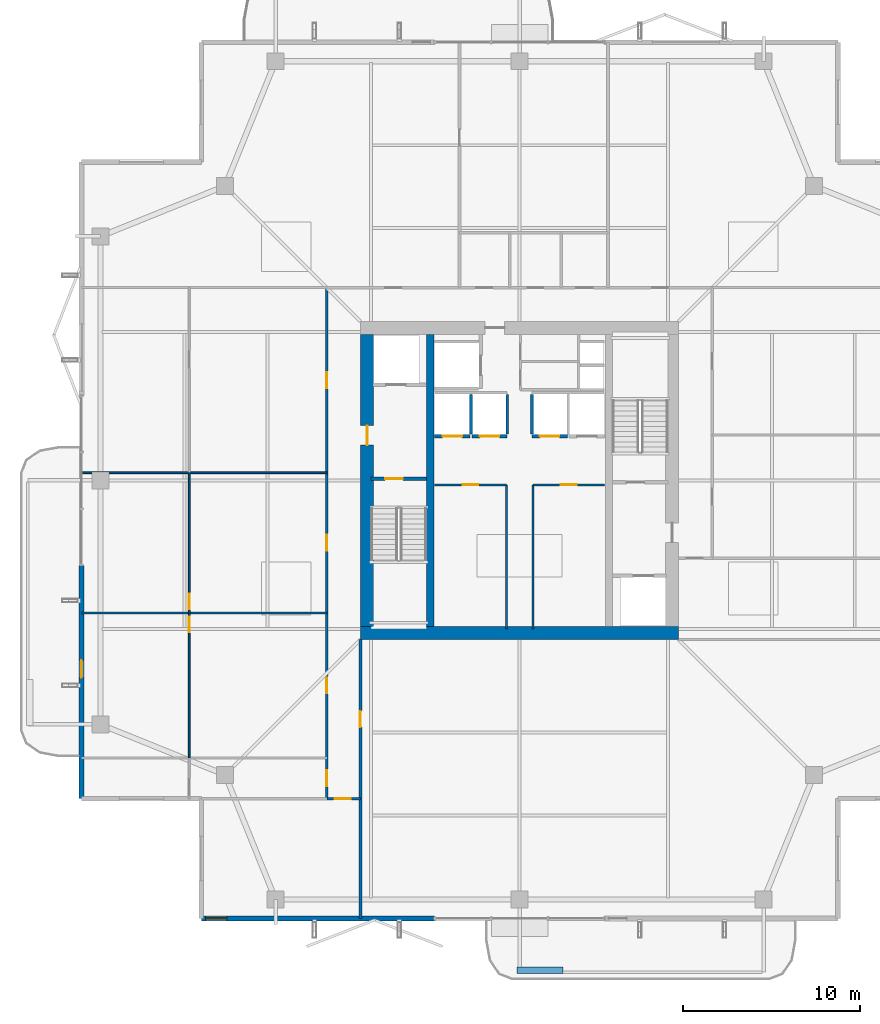
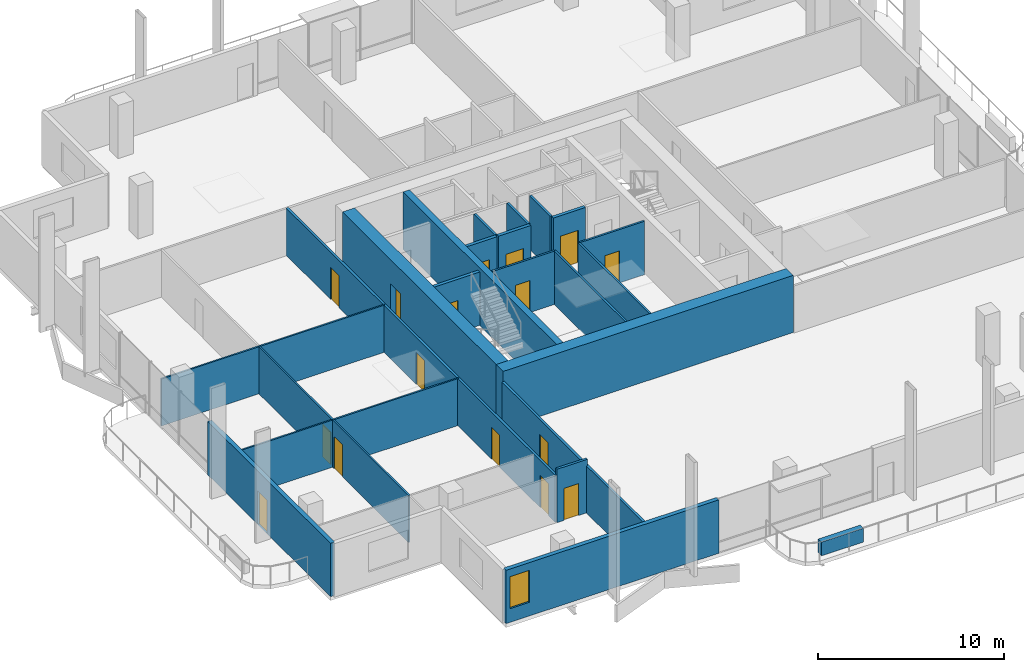
# One storey, part 18 of 25: 24 walls, 16 doors, 1 window, 17 openings.
"""IFC4 building model written with IfcOpenShell, lengths in metres."""

from ifc_helpers import new_model, si_unit, direction, frame, frame_2d, origin, place, context, subcontext, project, spatial, rectangle, extrude, material, layer, layer_set, type_object, element, fill, save


model = new_model("IFC4")

# Units and contexts
model_context = context("Model", 3, precision=1e-05, world=origin(), true_north=direction((0.0, 1.0)))
body_context = subcontext(model_context, "Body", "Model", "MODEL_VIEW")
ifc_project = project(units=[si_unit("LENGTHUNIT", "METRE"), si_unit("AREAUNIT", "SQUARE_METRE"), si_unit("VOLUMEUNIT", "CUBIC_METRE"), si_unit("PLANEANGLEUNIT", "RADIAN"), si_unit("MASSUNIT", "GRAM", prefix="KILO")], contexts=[model_context])

# Site, building, storey
site_placement = place(None, origin())
site = spatial("IfcSite", under=ifc_project, at=site_placement, CompositionType="ELEMENT")
building_placement = place(site_placement, origin())
building = spatial("IfcBuilding", under=site, at=building_placement, Name="Belovzor Exchange Tower", CompositionType="ELEMENT")
storey_placement = place(building_placement, frame((0.0, 0.0, 257.85009765625)))
storey = spatial("IfcBuildingStorey", under=building, at=storey_placement, Name="L64", CompositionType="ELEMENT", Elevation=257.85009765625)

# Wall, opening, door
ifc_material_1 = material(Name="Acoustic Laminated Glass and Aluminium", Category="aluminium")
ifc_layer_1 = layer(ifc_material_1, 0.10009765625)
ifc_layer_set_1 = layer_set([ifc_layer_1], Name="Acoustic Laminated Glass and Aluminium")
wall_type_1 = type_object("IfcWallType", Name="Demountable Executive Glass Partition 100", PredefinedType="MOVABLE", material=ifc_layer_set_1)
wall_1_placement = place(storey_placement, frame((10.114990234375, 13.10009765625, 0.0), z_axis=(0.0, 0.0, 1.0), x_axis=(0.0, 1.0, 0.0)))
wall_1 = element("IfcWall", 1, at=wall_1_placement, inside=storey, type_object=wall_type_1, Name="W-M100 Partition Wall W-L64-WHDIV-1", PredefinedType="MOVABLE", context=body_context, shape_type="SweptSolid", body=[
    extrude(rectangle(XDim=8.203857421875, YDim=0.10009765625, at=frame_2d((4.10205078125, 0.0))), origin(), (0.0, 0.0, 1.0), 3.0849609375),
])
opening_1_placement = place(wall_1_placement, frame((7.10400390625, 0.0, 0.0)))
opening_1 = element("IfcOpeningElement", 2, at=opening_1_placement, cuts=wall_1, Name="Opening D-INT-090", PredefinedType="OPENING", context=body_context, shape_type="SweptSolid", body=[
    extrude(rectangle(XDim=0.89990234375, YDim=2.10009765625, at=frame_2d((0.449951171875, 1.050048828125))), frame((0.0, 0.06005859375, 0.0), z_axis=(0.0, -1.0, 0.0), x_axis=(1.0, 0.0, 0.0)), (0.0, 0.0, 1.0), 0.1201171875),
])
ifc_material_2 = material(Name="Veneered Hardwood Acoustic Leaf", Category="wood")
door_type_1 = type_object("IfcDoorType", Name="Trading Suite Acoustic Single Door 900x2100", OperationType="NOTDEFINED", PredefinedType="DOOR", material=ifc_material_2)
door_1_placement = place(opening_1_placement, origin())
door_1 = element("IfcDoor", 3, at=door_1_placement, inside=storey, type_object=door_type_1, Name="D-INT-090 Trading Suite Acoustic Single Door 900x2100", OperationType="SINGLE_SWING_LEFT", OverallHeight=2.10009765625, OverallWidth=0.89990234375, PredefinedType="DOOR", context=body_context, shape_type="SweptSolid", body=[
    extrude(rectangle(XDim=0.89990234375, YDim=2.10009765625, at=frame_2d((0.449951171875, 1.050048828125))), frame((0.0, 0.02490234375, 0.0), z_axis=(0.0, -1.0, 0.0), x_axis=(1.0, 0.0, 0.0)), (0.0, 0.0, 1.0), 0.050048828125),
])
fill(opening_1, door_1)

# Wall
wall_2_placement = place(storey_placement, frame((4.030029296875, 21.303955078125, 0.0), z_axis=(0.0, 0.0, 1.0), x_axis=(1.0, 0.0, 0.0)))
element("IfcWall", 4, at=wall_2_placement, inside=storey, type_object=wall_type_1, Name="W-M100 Partition Wall W-L64-WDIV-2", PredefinedType="MOVABLE", context=body_context, shape_type="SweptSolid", body=[
    extrude(rectangle(XDim=13.869873046875, YDim=0.10009765625, at=frame_2d((6.93505859375, 0.0))), origin(), (0.0, 0.0, 1.0), 3.0849609375),
])

# Wall, opening, door
wall_3_placement = place(storey_placement, frame((10.114990234375, 21.303955078125, 0.0), z_axis=(0.0, 0.0, 1.0), x_axis=(0.0, 1.0, 0.0)))
wall_3 = element("IfcWall", 5, at=wall_3_placement, inside=storey, type_object=wall_type_1, Name="W-M100 Partition Wall W-L64-WHDIV-2", PredefinedType="MOVABLE", context=body_context, shape_type="SweptSolid", body=[
    extrude(rectangle(XDim=7.93115234375, YDim=0.10009765625, at=frame_2d((3.965576171875, 0.0))), origin(), (0.0, 0.0, 1.0), 3.0849609375),
])
opening_2_placement = place(wall_3_placement, frame((0.199951171875, 0.0, 0.0)))
opening_2 = element("IfcOpeningElement", 6, at=opening_2_placement, cuts=wall_3, Name="Opening D-INT-090", PredefinedType="OPENING", context=body_context, shape_type="SweptSolid", body=[
    extrude(rectangle(XDim=0.89990234375, YDim=2.10009765625, at=frame_2d((0.449951171875, 1.050048828125))), frame((0.0, 0.06005859375, 0.0), z_axis=(0.0, -1.0, 0.0), x_axis=(1.0, 0.0, 0.0)), (0.0, 0.0, 1.0), 0.1201171875),
])
door_2_placement = place(opening_2_placement, origin())
door_2 = element("IfcDoor", 7, at=door_2_placement, inside=storey, type_object=door_type_1, Name="D-INT-090 Trading Suite Acoustic Single Door 900x2100", OperationType="SINGLE_SWING_LEFT", OverallHeight=2.10009765625, OverallWidth=0.89990234375, PredefinedType="DOOR", context=body_context, shape_type="SweptSolid", body=[
    extrude(rectangle(XDim=0.89990234375, YDim=2.10009765625, at=frame_2d((0.449951171875, 1.050048828125))), frame((0.0, 0.02490234375, 0.0), z_axis=(0.0, -1.0, 0.0), x_axis=(1.0, 0.0, 0.0)), (0.0, 0.0, 1.0), 0.050048828125),
])
fill(opening_2, door_2)

# Wall
wall_4_placement = place(storey_placement, frame((4.030029296875, 29.235107421875, 0.0), z_axis=(0.0, 0.0, 1.0), x_axis=(1.0, 0.0, 0.0)))
element("IfcWall", 8, at=wall_4_placement, inside=storey, type_object=wall_type_1, Name="W-M100 Partition Wall W-L64-WDIV-3", PredefinedType="MOVABLE", context=body_context, shape_type="SweptSolid", body=[
    extrude(rectangle(XDim=13.869873046875, YDim=0.10009765625, at=frame_2d((6.93505859375, 0.0))), origin(), (0.0, 0.0, 1.0), 3.0849609375),
])

# Wall, opening, door
ifc_material_3 = material(Name="Fire-Rated Plasterboard on Galvanised Studs", Category="gypsum")
ifc_layer_2 = layer(ifc_material_3, 0.1201171875)
ifc_layer_set_2 = layer_set([ifc_layer_2], Name="Fire-Rated Plasterboard on Galvanised Studs")
wall_type_2 = type_object("IfcWallType", Name="Fire-Rated Double-Stud Partition Wall 120", PredefinedType="PARTITIONING", material=ifc_layer_set_2)
wall_5_placement = place(storey_placement, frame((24.0, 28.550048828125, 0.0), z_axis=(0.0, 0.0, 1.0), x_axis=(1.0, 0.0, 0.0)))
wall_5 = element("IfcWall", 9, at=wall_5_placement, inside=storey, type_object=wall_type_2, Name="W-P120F Partition Wall W-CRWB-L64-N", PredefinedType="PARTITIONING", context=body_context, shape_type="SweptSolid", body=[
    extrude(rectangle(XDim=4.050048828125, YDim=0.1201171875, at=frame_2d((2.02490234375, 0.0))), origin(), (0.0, 0.0, 1.0), 3.5),
])
opening_3_placement = place(wall_5_placement, frame((1.574951171875, 0.0, 0.0)))
opening_3 = element("IfcOpeningElement", 10, at=opening_3_placement, cuts=wall_5, Name="Opening D-FD60-090", PredefinedType="OPENING", context=body_context, shape_type="SweptSolid", body=[
    extrude(rectangle(XDim=0.89990234375, YDim=2.10009765625, at=frame_2d((0.449951171875, 1.050048828125))), frame((0.0, 0.070068359375, 0.0), z_axis=(0.0, -1.0, 0.0), x_axis=(1.0, 0.0, 0.0)), (0.0, 0.0, 1.0), 0.14013671875),
])
ifc_material_4 = material(Name="Acoustic Timber Fire Leaf", Category="wood")
door_type_2 = type_object("IfcDoorType", Name="Core Service & Restroom Fire Door 900x2100", OperationType="NOTDEFINED", PredefinedType="DOOR", material=ifc_material_4)
door_3_placement = place(opening_3_placement, origin())
door_3 = element("IfcDoor", 11, at=door_3_placement, inside=storey, type_object=door_type_2, Name="D-FD60-090 Core Service & Restroom Fire Door 900x2100", OperationType="SINGLE_SWING_LEFT", OverallHeight=2.10009765625, OverallWidth=0.89990234375, PredefinedType="DOOR", context=body_context, shape_type="SweptSolid", body=[
    extrude(rectangle(XDim=0.89990234375, YDim=2.10009765625, at=frame_2d((0.449951171875, 1.050048828125))), frame((0.0, 0.02490234375, 0.0), z_axis=(0.0, -1.0, 0.0), x_axis=(1.0, 0.0, 0.0)), (0.0, 0.0, 1.0), 0.050048828125),
])
fill(opening_3, door_3)

# Wall
wall_6_placement = place(storey_placement, frame((28.050048828125, 20.39990234375, 0.0), z_axis=(0.0, 0.0, 1.0), x_axis=(0.0, 1.0, 0.0)))
element("IfcWall", 12, at=wall_6_placement, inside=storey, type_object=wall_type_2, Name="W-P120F Partition Wall W-CRWB-L64-E", PredefinedType="PARTITIONING", context=body_context, shape_type="SweptSolid", body=[
    extrude(rectangle(XDim=8.150146484375, YDim=0.1201171875, at=frame_2d((4.0751953125, 0.0))), origin(), (0.0, 0.0, 1.0), 3.5),
])

# Wall, opening, door
wall_7_placement = place(storey_placement, frame((29.550048828125, 28.550048828125, 0.0), z_axis=(0.0, 0.0, 1.0), x_axis=(1.0, 0.0, 0.0)))
wall_7 = element("IfcWall", 13, at=wall_7_placement, inside=storey, type_object=wall_type_2, Name="W-P120F Partition Wall W-CREB-L64-N", PredefinedType="PARTITIONING", context=body_context, shape_type="SweptSolid", body=[
    extrude(rectangle(XDim=4.050048828125, YDim=0.1201171875, at=frame_2d((2.02490234375, 0.0))), origin(), (0.0, 0.0, 1.0), 3.5),
])
opening_4_placement = place(wall_7_placement, frame((1.574951171875, 0.0, 0.0)))
opening_4 = element("IfcOpeningElement", 14, at=opening_4_placement, cuts=wall_7, Name="Opening D-FD60-090", PredefinedType="OPENING", context=body_context, shape_type="SweptSolid", body=[
    extrude(rectangle(XDim=0.89990234375, YDim=2.10009765625, at=frame_2d((0.449951171875, 1.050048828125))), frame((0.0, 0.070068359375, 0.0), z_axis=(0.0, -1.0, 0.0), x_axis=(1.0, 0.0, 0.0)), (0.0, 0.0, 1.0), 0.14013671875),
])
door_4_placement = place(opening_4_placement, origin())
door_4 = element("IfcDoor", 15, at=door_4_placement, inside=storey, type_object=door_type_2, Name="D-FD60-090 Core Service & Restroom Fire Door 900x2100", OperationType="SINGLE_SWING_RIGHT", OverallHeight=2.10009765625, OverallWidth=0.89990234375, PredefinedType="DOOR", context=body_context, shape_type="SweptSolid", body=[
    extrude(rectangle(XDim=0.89990234375, YDim=2.10009765625, at=frame_2d((0.449951171875, 1.050048828125))), frame((0.0, 0.02490234375, 0.0), z_axis=(0.0, -1.0, 0.0), x_axis=(1.0, 0.0, 0.0)), (0.0, 0.0, 1.0), 0.050048828125),
])
fill(opening_4, door_4)

# Wall
wall_8_placement = place(storey_placement, frame((29.550048828125, 20.39990234375, 0.0), z_axis=(0.0, 0.0, 1.0), x_axis=(0.0, 1.0, 0.0)))
element("IfcWall", 16, at=wall_8_placement, inside=storey, type_object=wall_type_2, Name="W-P120F Partition Wall W-CREB-L64-W", PredefinedType="PARTITIONING", context=body_context, shape_type="SweptSolid", body=[
    extrude(rectangle(XDim=8.150146484375, YDim=0.1201171875, at=frame_2d((4.0751953125, 0.0))), origin(), (0.0, 0.0, 1.0), 3.5),
])

# Wall, opening, door
ifc_material_5 = material(Name="Fire-Rated Gypsum Block and Mineral Wool", Category="gypsum")
ifc_layer_3 = layer(ifc_material_5, 0.14990234375)
ifc_layer_set_3 = layer_set([ifc_layer_3], Name="Fire-Rated Gypsum Block and Mineral Wool")
wall_type_3 = type_object("IfcWallType", Name="Fire-Rated Gypsum Block Corridor Wall 150", PredefinedType="PARTITIONING", material=ifc_layer_set_3)
wall_9_placement = place(storey_placement, frame((17.89990234375, 10.800048828125, 0.0), z_axis=(0.0, 0.0, 1.0), x_axis=(1.0, 0.0, 0.0)))
wall_9 = element("IfcWall", 17, at=wall_9_placement, inside=storey, type_object=wall_type_3, Name="W-P150 Partition Wall W-L64-CW-END", PredefinedType="PARTITIONING", context=body_context, shape_type="SweptSolid", body=[
    extrude(rectangle(XDim=1.900146484375, YDim=0.14990234375, at=frame_2d((0.9501953125, 0.0))), origin(), (0.0, 0.0, 1.0), 3.5),
])
opening_5_placement = place(wall_9_placement, frame((0.449951171875, 0.0, 0.0)))
opening_5 = element("IfcOpeningElement", 18, at=opening_5_placement, cuts=wall_9, Name="Opening D-FD60-090", PredefinedType="OPENING", context=body_context, shape_type="SweptSolid", body=[
    extrude(rectangle(XDim=0.89990234375, YDim=2.10009765625, at=frame_2d((0.449951171875, 1.050048828125))), frame((0.0, 0.0849609375, 0.0), z_axis=(0.0, -1.0, 0.0), x_axis=(1.0, 0.0, 0.0)), (0.0, 0.0, 1.0), 0.169921875),
])
door_5_placement = place(opening_5_placement, origin())
door_5 = element("IfcDoor", 19, at=door_5_placement, inside=storey, type_object=door_type_2, Name="D-FD60-090 Core Service & Restroom Fire Door 900x2100", OperationType="SINGLE_SWING_LEFT", OverallHeight=2.10009765625, OverallWidth=0.89990234375, PredefinedType="DOOR", context=body_context, shape_type="SweptSolid", body=[
    extrude(rectangle(XDim=0.89990234375, YDim=2.10009765625, at=frame_2d((0.449951171875, 1.050048828125))), frame((0.0, 0.02490234375, 0.0), z_axis=(0.0, -1.0, 0.0), x_axis=(1.0, 0.0, 0.0)), (0.0, 0.0, 1.0), 0.050048828125),
])
fill(opening_5, door_5)

wall_10_placement = place(storey_placement, frame((19.800048828125, 4.030029296875, 0.0), z_axis=(0.0, 0.0, 1.0), x_axis=(0.0, 1.0, 0.0)))
wall_10 = element("IfcWall", 20, at=wall_10_placement, inside=storey, type_object=wall_type_3, Name="W-P150 Partition Wall W-L64-CW-E", PredefinedType="PARTITIONING", context=body_context, shape_type="SweptSolid", body=[
    extrude(rectangle(XDim=15.77001953125, YDim=0.14990234375, at=frame_2d((7.885009765625, 0.0))), origin(), (0.0, 0.0, 1.0), 3.0849609375),
])
opening_6_placement = place(wall_10_placement, frame((10.820068359375, 0.0, 0.0)))
opening_6 = element("IfcOpeningElement", 21, at=opening_6_placement, cuts=wall_10, Name="Opening D-FD60-090", PredefinedType="OPENING", context=body_context, shape_type="SweptSolid", body=[
    extrude(rectangle(XDim=0.89990234375, YDim=2.10009765625, at=frame_2d((0.449951171875, 1.050048828125))), frame((0.0, 0.0849609375, 0.0), z_axis=(0.0, -1.0, 0.0), x_axis=(1.0, 0.0, 0.0)), (0.0, 0.0, 1.0), 0.169921875),
])
door_6_placement = place(opening_6_placement, origin())
door_6 = element("IfcDoor", 22, at=door_6_placement, inside=storey, type_object=door_type_2, Name="D-FD60-090 Core Service & Restroom Fire Door 900x2100", OperationType="SINGLE_SWING_RIGHT", OverallHeight=2.10009765625, OverallWidth=0.89990234375, PredefinedType="DOOR", context=body_context, shape_type="SweptSolid", body=[
    extrude(rectangle(XDim=0.89990234375, YDim=2.10009765625, at=frame_2d((0.449951171875, 1.050048828125))), frame((0.0, 0.02490234375, 0.0), z_axis=(0.0, -1.0, 0.0), x_axis=(1.0, 0.0, 0.0)), (0.0, 0.0, 1.0), 0.050048828125),
])
fill(opening_6, door_6)

# Wall, openings, doors
wall_11_placement = place(storey_placement, frame((17.89990234375, 10.800048828125, 0.0), z_axis=(0.0, 0.0, 1.0), x_axis=(0.0, 1.0, 0.0)))
wall_11 = element("IfcWall", 23, at=wall_11_placement, inside=storey, type_object=wall_type_3, Name="W-P150 Partition Wall W-L64-CW", PredefinedType="PARTITIONING", context=body_context, shape_type="SweptSolid", body=[
    extrude(rectangle(XDim=28.89990234375, YDim=0.14990234375, at=frame_2d((14.449951171875, 0.0))), origin(), (0.0, 0.0, 1.0), 3.0849609375),
])
opening_7_placement = place(wall_11_placement, frame((0.699951171875, 0.0, 0.0)))
opening_7 = element("IfcOpeningElement", 24, at=opening_7_placement, cuts=wall_11, Name="Opening D-INT-090", PredefinedType="OPENING", context=body_context, shape_type="SweptSolid", body=[
    extrude(rectangle(XDim=0.89990234375, YDim=2.10009765625, at=frame_2d((0.449951171875, 1.050048828125))), frame((0.0, 0.0849609375, 0.0), z_axis=(0.0, -1.0, 0.0), x_axis=(1.0, 0.0, 0.0)), (0.0, 0.0, 1.0), 0.169921875),
])
opening_8_placement = place(wall_11_placement, frame((5.951904296875, 0.0, 0.0)))
opening_8 = element("IfcOpeningElement", 25, at=opening_8_placement, cuts=wall_11, Name="Opening D-INT-090", PredefinedType="OPENING", context=body_context, shape_type="SweptSolid", body=[
    extrude(rectangle(XDim=0.89990234375, YDim=2.10009765625, at=frame_2d((0.449951171875, 1.050048828125))), frame((0.0, 0.0849609375, 0.0), z_axis=(0.0, -1.0, 0.0), x_axis=(1.0, 0.0, 0.0)), (0.0, 0.0, 1.0), 0.169921875),
])
opening_9_placement = place(wall_11_placement, frame((14.02001953125, 0.0, 0.0)))
opening_9 = element("IfcOpeningElement", 26, at=opening_9_placement, cuts=wall_11, Name="Opening D-INT-090", PredefinedType="OPENING", context=body_context, shape_type="SweptSolid", body=[
    extrude(rectangle(XDim=0.89990234375, YDim=2.10009765625, at=frame_2d((0.449951171875, 1.050048828125))), frame((0.0, 0.0849609375, 0.0), z_axis=(0.0, -1.0, 0.0), x_axis=(1.0, 0.0, 0.0)), (0.0, 0.0, 1.0), 0.169921875),
])
opening_10_placement = place(wall_11_placement, frame((23.217041015625, 0.0, 0.0)))
opening_10 = element("IfcOpeningElement", 27, at=opening_10_placement, cuts=wall_11, Name="Opening D-INT-090", PredefinedType="OPENING", context=body_context, shape_type="SweptSolid", body=[
    extrude(rectangle(XDim=0.89990234375, YDim=2.10009765625, at=frame_2d((0.449951171875, 1.050048828125))), frame((0.0, 0.0849609375, 0.0), z_axis=(0.0, -1.0, 0.0), x_axis=(1.0, 0.0, 0.0)), (0.0, 0.0, 1.0), 0.169921875),
])
door_7_placement = place(opening_7_placement, origin())
door_7 = element("IfcDoor", 28, at=door_7_placement, inside=storey, type_object=door_type_1, Name="D-INT-090 Trading Suite Acoustic Single Door 900x2100", OperationType="SINGLE_SWING_LEFT", OverallHeight=2.10009765625, OverallWidth=0.89990234375, PredefinedType="DOOR", context=body_context, shape_type="SweptSolid", body=[
    extrude(rectangle(XDim=0.89990234375, YDim=2.10009765625, at=frame_2d((0.449951171875, 1.050048828125))), frame((0.0, 0.02490234375, 0.0), z_axis=(0.0, -1.0, 0.0), x_axis=(1.0, 0.0, 0.0)), (0.0, 0.0, 1.0), 0.050048828125),
])
fill(opening_7, door_7)
door_8_placement = place(opening_8_placement, origin())
door_8 = element("IfcDoor", 29, at=door_8_placement, inside=storey, type_object=door_type_1, Name="D-INT-090 Trading Suite Acoustic Single Door 900x2100", OperationType="SINGLE_SWING_RIGHT", OverallHeight=2.10009765625, OverallWidth=0.89990234375, PredefinedType="DOOR", context=body_context, shape_type="SweptSolid", body=[
    extrude(rectangle(XDim=0.89990234375, YDim=2.10009765625, at=frame_2d((0.449951171875, 1.050048828125))), frame((0.0, 0.02490234375, 0.0), z_axis=(0.0, -1.0, 0.0), x_axis=(1.0, 0.0, 0.0)), (0.0, 0.0, 1.0), 0.050048828125),
])
fill(opening_8, door_8)
door_9_placement = place(opening_9_placement, origin())
door_9 = element("IfcDoor", 30, at=door_9_placement, inside=storey, type_object=door_type_1, Name="D-INT-090 Trading Suite Acoustic Single Door 900x2100", OperationType="SINGLE_SWING_LEFT", OverallHeight=2.10009765625, OverallWidth=0.89990234375, PredefinedType="DOOR", context=body_context, shape_type="SweptSolid", body=[
    extrude(rectangle(XDim=0.89990234375, YDim=2.10009765625, at=frame_2d((0.449951171875, 1.050048828125))), frame((0.0, 0.02490234375, 0.0), z_axis=(0.0, -1.0, 0.0), x_axis=(1.0, 0.0, 0.0)), (0.0, 0.0, 1.0), 0.050048828125),
])
fill(opening_9, door_9)
door_10_placement = place(opening_10_placement, origin())
door_10 = element("IfcDoor", 31, at=door_10_placement, inside=storey, type_object=door_type_1, Name="D-INT-090 Trading Suite Acoustic Single Door 900x2100", OperationType="SINGLE_SWING_RIGHT", OverallHeight=2.10009765625, OverallWidth=0.89990234375, PredefinedType="DOOR", context=body_context, shape_type="SweptSolid", body=[
    extrude(rectangle(XDim=0.89990234375, YDim=2.10009765625, at=frame_2d((0.449951171875, 1.050048828125))), frame((0.0, 0.02490234375, 0.0), z_axis=(0.0, -1.0, 0.0), x_axis=(1.0, 0.0, 0.0)), (0.0, 0.0, 1.0), 0.050048828125),
])
fill(opening_10, door_10)

# Wall, opening, window
ifc_material_6 = material(Name="Precast concrete C40/50", Category="concrete")
ifc_layer_4 = layer(ifc_material_6, 0.260009765625)
ifc_layer_set_4 = layer_set([ifc_layer_4], Name="Precast concrete C40/50")
wall_type_4 = type_object("IfcWallType", Name="Precast Concrete Perimeter Loggia Frame Wall 260", PredefinedType="SOLIDWALL", material=ifc_layer_set_4)
wall_12_placement = place(storey_placement, frame((24.0, 4.030029296875, 0.0), z_axis=(0.0, 0.0, 1.0), x_axis=(-1.0, 0.0, 0.0)))
wall_12 = element("IfcWall", 32, at=wall_12_placement, inside=storey, type_object=wall_type_4, Name="W-EXT260 Precast Concrete Perimeter Loggia Frame Wall 260 L64", PredefinedType="SOLIDWALL", context=body_context, shape_type="SweptSolid", body=[
    extrude(rectangle(XDim=13.199951171875, YDim=0.260009765625, at=frame_2d((6.60009765625, 0.0))), origin(), (0.0, 0.0, 1.0), 3.5),
])
opening_11_placement = place(wall_12_placement, frame((11.75, 0.0, 0.89990234375)))
opening_11 = element("IfcOpeningElement", 33, at=opening_11_placement, cuts=wall_12, Name="Opening WN-CRN120", PredefinedType="OPENING", context=body_context, shape_type="SweptSolid", body=[
    extrude(rectangle(XDim=1.199951171875, YDim=2.10009765625, at=frame_2d((0.60009765625, 1.050048828125))), frame((0.0, 0.139892578125, 0.0), z_axis=(0.0, -1.0, 0.0), x_axis=(1.0, 0.0, 0.0)), (0.0, 0.0, 1.0), 0.280029296875),
])
ifc_material_7 = material(Name="Thermally Broken Aluminium and Triple Glazing", Category="aluminium")
window_type = type_object("IfcWindowType", Name="Streamline Notched Corner Window 1200x2100", PartitioningType="SINGLE_PANEL", PredefinedType="WINDOW", material=ifc_material_7)
window_placement = place(opening_11_placement, origin())
window = element("IfcWindow", 34, at=window_placement, inside=storey, type_object=window_type, Name="WN-CRN120 Streamline Notched Corner Window 1200x2100", OverallHeight=2.10009765625, OverallWidth=1.199951171875, PartitioningType="SINGLE_PANEL", PredefinedType="WINDOW", context=body_context, shape_type="SweptSolid", body=[
    extrude(rectangle(XDim=1.199951171875, YDim=2.10009765625, at=frame_2d((0.60009765625, 1.050048828125))), frame((0.0, 0.030029296875, 0.0), z_axis=(0.0, -1.0, 0.0), x_axis=(1.0, 0.0, 0.0)), (0.0, 0.0, 1.0), 0.06005859375),
])
fill(opening_11, window)

# Wall, opening, door
wall_13_placement = place(storey_placement, frame((4.030029296875, 10.800048828125, 0.0), z_axis=(0.0, 0.0, 1.0), x_axis=(0.0, 1.0, 0.0)))
wall_13 = element("IfcWall", 35, at=wall_13_placement, inside=storey, type_object=wall_type_4, Name="W-EXT260 Precast Concrete Perimeter Loggia Frame Wall 260 L64", PredefinedType="SOLIDWALL", context=body_context, shape_type="SweptSolid", body=[
    extrude(rectangle(XDim=13.199951171875, YDim=0.260009765625, at=frame_2d((6.60009765625, 0.0))), origin(), (0.0, 0.0, 1.0), 3.5),
])
opening_12_placement = place(wall_13_placement, frame((6.8359375, 0.0, 0.0)))
opening_12 = element("IfcOpeningElement", 36, at=opening_12_placement, cuts=wall_13, Name="Opening D-BAL100", PredefinedType="OPENING", context=body_context, shape_type="SweptSolid", body=[
    extrude(rectangle(XDim=1.0, YDim=2.199951171875, at=frame_2d((0.5, 1.10009765625))), frame((0.0, 0.139892578125, 0.0), z_axis=(0.0, -1.0, 0.0), x_axis=(1.0, 0.0, 0.0)), (0.0, 0.0, 1.0), 0.280029296875),
])
ifc_material_8 = material(Name="Thermally Broken Anodised Aluminium and Laminated Glass", Category="aluminium")
door_type_3 = type_object("IfcDoorType", Name="Planted Loggia Terrace Glazed Door 1000x2200", OperationType="SINGLE_SWING_LEFT", PredefinedType="DOOR", material=ifc_material_8)
door_11_placement = place(opening_12_placement, origin())
door_11 = element("IfcDoor", 37, at=door_11_placement, inside=storey, type_object=door_type_3, Name="D-BAL100 Balcony Terrace Door L64 W", OperationType="SINGLE_SWING_RIGHT", OverallHeight=2.199951171875, OverallWidth=1.0, PredefinedType="DOOR", context=body_context, shape_type="SweptSolid", body=[
    extrude(rectangle(XDim=1.0, YDim=2.199951171875, at=frame_2d((0.5, 1.10009765625))), frame((0.0, 0.02490234375, 0.0), z_axis=(0.0, -1.0, 0.0), x_axis=(1.0, 0.0, 0.0)), (0.0, 0.0, 1.0), 0.050048828125),
])
fill(opening_12, door_11)

# Walls
ifc_material_9 = material(Name="Precast concrete C40/50", Category="concrete")
ifc_layer_5 = layer(ifc_material_9, 0.35009765625)
ifc_layer_set_5 = layer_set([ifc_layer_5], Name="Precast concrete C40/50")
wall_type_5 = type_object("IfcWallType", Name="Precast Concrete Structural Tree Planter Trough 350", PredefinedType="PARAPET", material=ifc_layer_set_5)
wall_14_placement = place(storey_placement, frame((28.64990234375, 1.10009765625, 0.0), z_axis=(0.0, 0.0, 1.0), x_axis=(1.0, 0.0, 0.0)))
element("IfcWall", 38, at=wall_14_placement, inside=storey, type_object=wall_type_5, Name="PT-350 Precast Concrete Structural Tree Planter Trough 350 L64", PredefinedType="PARAPET", context=body_context, shape_type="SweptSolid", body=[
    extrude(rectangle(XDim=2.60009765625, YDim=0.35009765625, at=frame_2d((1.300048828125, 0.0))), origin(), (0.0, 0.0, 1.0), 0.89990234375),
])
ifc_material_10 = material(Name="Concrete C50/60", Category="concrete")
ifc_layer_6 = layer(ifc_material_10, 0.39990234375)
ifc_layer_set_6 = layer_set([ifc_layer_6], Name="Concrete C50/60")
wall_type_6 = type_object("IfcWallType", Name="Reinforced Concrete Core Internal Web Wall 400", PredefinedType="SHEAR", material=ifc_layer_set_6)
wall_15_placement = place(storey_placement, frame((23.75, 20.550048828125, 0.0), z_axis=(0.0, 0.0, 1.0), x_axis=(0.0, 1.0, 0.0)))
element("IfcWall", 39, at=wall_15_placement, inside=storey, type_object=wall_type_6, Name="CW-W040 Core Internal Web Wall L64 WL", PredefinedType="SHEAR", context=body_context, shape_type="SweptSolid", body=[
    extrude(rectangle(XDim=16.5, YDim=0.39990234375, at=frame_2d((8.25, 0.0))), origin(), (0.0, 0.0, 1.0), 3.75),
])
ifc_material_11 = material(Name="Concrete C50/60", Category="concrete")
ifc_layer_7 = layer(ifc_material_11, 0.14990234375)
ifc_layer_set_7 = layer_set([ifc_layer_7], Name="Concrete C50/60")
wall_type_7 = type_object("IfcWallType", Name="Reinforced Concrete Core Riser Shear Wall 150", PredefinedType="SHEAR", material=ifc_layer_set_7)
for number, where, z_axis, x_axis, name in (
    (40, (26.050048828125, 31.419921875, 0.0), (0.0, 0.0, 1.0), (0.0, 1.0, 0.0), "W-C150S Core Shaft Wall W-SHD-L64-PLH-1"),
    (41, (28.10009765625, 31.419921875, 0.0), (0.0, 0.0, 1.0), (0.0, 1.0, 0.0), "W-C150S Core Shaft Wall W-SHD-L64-PLH-2"),
    (42, (29.5, 31.419921875, 0.0), (0.0, 0.0, 1.0), (0.0, 1.0, 0.0), "W-C150S Core Shaft Wall W-SHD-L64-PLH-3"),
):
    element("IfcWall", number, at=place(storey_placement, frame(where, z_axis=z_axis, x_axis=x_axis)), inside=storey, type_object=wall_type_7, Name=name, PredefinedType="SHEAR", context=body_context, shape_type="SweptSolid", body=[
        extrude(rectangle(XDim=2.239990234375, YDim=0.14990234375, at=frame_2d((1.1201171875, 0.0))), origin(), (0.0, 0.0, 1.0), 3.5),
    ])

# Wall, opening, door
ifc_material_12 = material(Name="Concrete C50/60", Category="concrete")
ifc_layer_8 = layer(ifc_material_12, 0.199951171875)
ifc_layer_set_8 = layer_set([ifc_layer_8], Name="Concrete C50/60")
wall_type_8 = type_object("IfcWallType", Name="Reinforced Concrete Core Shaft Shear Wall 200", PredefinedType="SHEAR", material=ifc_layer_set_8)
wall_16_placement = place(storey_placement, frame((20.39990234375, 28.89990234375, 0.0), z_axis=(0.0, 0.0, 1.0), x_axis=(1.0, 0.0, 0.0)))
wall_16 = element("IfcWall", 43, at=wall_16_placement, inside=storey, type_object=wall_type_8, Name="W-C200S Core Shaft Wall W-CORE-L64-FFLW1", PredefinedType="SHEAR", context=body_context, shape_type="SweptSolid", body=[
    extrude(rectangle(XDim=3.150146484375, YDim=0.199951171875, at=frame_2d((1.5751953125, 0.0))), origin(), (0.0, 0.0, 1.0), 3.5),
])
opening_13_placement = place(wall_16_placement, frame((0.800048828125, 0.0, 0.0)))
opening_13 = element("IfcOpeningElement", 44, at=opening_13_placement, cuts=wall_16, Name="Opening D-FD90-100", PredefinedType="OPENING", context=body_context, shape_type="SweptSolid", body=[
    extrude(rectangle(XDim=1.0, YDim=2.10009765625, at=frame_2d((0.5, 1.050048828125))), frame((0.0, 0.10986328125, 0.0), z_axis=(0.0, -1.0, 0.0), x_axis=(1.0, 0.0, 0.0)), (0.0, 0.0, 1.0), 0.219970703125),
])
ifc_material_13 = material(Name="Fire-Rated Galvanised Steel Leaf", Category="steel")
door_type_4 = type_object("IfcDoorType", Name="Protected Stairwell Single Fire Door 1000x2100", OperationType="NOTDEFINED", PredefinedType="DOOR", material=ifc_material_13)
door_12_placement = place(opening_13_placement, origin())
door_12 = element("IfcDoor", 45, at=door_12_placement, inside=storey, type_object=door_type_4, Name="D-FD90-100 Protected Stairwell Single Fire Door 1000x2100", OperationType="SINGLE_SWING_RIGHT", OverallHeight=2.10009765625, OverallWidth=1.0, PredefinedType="DOOR", context=body_context, shape_type="SweptSolid", body=[
    extrude(rectangle(XDim=1.0, YDim=2.10009765625, at=frame_2d((0.5, 1.050048828125))), frame((0.0, 0.02490234375, 0.0), z_axis=(0.0, -1.0, 0.0), x_axis=(1.0, 0.0, 0.0)), (0.0, 0.0, 1.0), 0.050048828125),
])
fill(opening_13, door_12)

wall_17_placement = place(storey_placement, frame((24.0, 31.300048828125, 0.0), z_axis=(0.0, 0.0, 1.0), x_axis=(1.0, 0.0, 0.0)))
wall_17 = element("IfcWall", 46, at=wall_17_placement, inside=storey, type_object=wall_type_8, Name="W-C200S Core Shaft Wall W-SH-L64-PL-H1", PredefinedType="SHEAR", context=body_context, shape_type="SweptSolid", body=[
    extrude(rectangle(XDim=2.0, YDim=0.199951171875, at=frame_2d((1.0, 0.0))), origin(), (0.0, 0.0, 1.0), 3.5),
])
opening_14_placement = place(wall_17_placement, frame((0.449951171875, 0.0, 0.0)))
opening_14 = element("IfcOpeningElement", 47, at=opening_14_placement, cuts=wall_17, Name="Opening LD-110", PredefinedType="OPENING", context=body_context, shape_type="SweptSolid", body=[
    extrude(rectangle(XDim=1.10009765625, YDim=2.14990234375, at=frame_2d((0.550048828125, 1.074951171875))), frame((0.0, 0.10986328125, 0.0), z_axis=(0.0, -1.0, 0.0), x_axis=(1.0, 0.0, 0.0)), (0.0, 0.0, 1.0), 0.219970703125),
])
ifc_material_14 = material(Name="Stainless Steel Grade 304", Category="steel")
door_type_5 = type_object("IfcDoorType", Name="Automated Stainless Steel Lift Landing Door 1100x2150", OperationType="SLIDING_TO_RIGHT", PredefinedType="DOOR", material=ifc_material_14)
door_13_placement = place(opening_14_placement, origin())
door_13 = element("IfcDoor", 48, at=door_13_placement, inside=storey, type_object=door_type_5, Name="LD-110 Automated Stainless Steel Lift Landing Door 1100x2150", OperationType="SLIDING_TO_RIGHT", OverallHeight=2.14990234375, OverallWidth=1.10009765625, PredefinedType="DOOR", context=body_context, shape_type="SweptSolid", body=[
    extrude(rectangle(XDim=1.10009765625, YDim=2.14990234375, at=frame_2d((0.550048828125, 1.074951171875))), frame((0.0, 0.02490234375, 0.0), z_axis=(0.0, -1.0, 0.0), x_axis=(1.0, 0.0, 0.0)), (0.0, 0.0, 1.0), 0.050048828125),
])
fill(opening_14, door_13)

wall_18_placement = place(storey_placement, frame((26.10009765625, 31.300048828125, 0.0), z_axis=(0.0, 0.0, 1.0), x_axis=(1.0, 0.0, 0.0)))
wall_18 = element("IfcWall", 49, at=wall_18_placement, inside=storey, type_object=wall_type_8, Name="W-C200S Core Shaft Wall W-SH-L64-PL-H2", PredefinedType="SHEAR", context=body_context, shape_type="SweptSolid", body=[
    extrude(rectangle(XDim=2.0, YDim=0.199951171875, at=frame_2d((1.0, 0.0))), origin(), (0.0, 0.0, 1.0), 3.5),
])
opening_15_placement = place(wall_18_placement, frame((0.449951171875, 0.0, 0.0)))
opening_15 = element("IfcOpeningElement", 50, at=opening_15_placement, cuts=wall_18, Name="Opening LD-110", PredefinedType="OPENING", context=body_context, shape_type="SweptSolid", body=[
    extrude(rectangle(XDim=1.10009765625, YDim=2.14990234375, at=frame_2d((0.550048828125, 1.074951171875))), frame((0.0, 0.10986328125, 0.0), z_axis=(0.0, -1.0, 0.0), x_axis=(1.0, 0.0, 0.0)), (0.0, 0.0, 1.0), 0.219970703125),
])
door_14_placement = place(opening_15_placement, origin())
door_14 = element("IfcDoor", 51, at=door_14_placement, inside=storey, type_object=door_type_5, Name="LD-110 Automated Stainless Steel Lift Landing Door 1100x2150", OperationType="SLIDING_TO_RIGHT", OverallHeight=2.14990234375, OverallWidth=1.10009765625, PredefinedType="DOOR", context=body_context, shape_type="SweptSolid", body=[
    extrude(rectangle(XDim=1.10009765625, YDim=2.14990234375, at=frame_2d((0.550048828125, 1.074951171875))), frame((0.0, 0.02490234375, 0.0), z_axis=(0.0, -1.0, 0.0), x_axis=(1.0, 0.0, 0.0)), (0.0, 0.0, 1.0), 0.050048828125),
])
fill(opening_15, door_14)

wall_19_placement = place(storey_placement, frame((29.5, 31.300048828125, 0.0), z_axis=(0.0, 0.0, 1.0), x_axis=(1.0, 0.0, 0.0)))
wall_19 = element("IfcWall", 52, at=wall_19_placement, inside=storey, type_object=wall_type_8, Name="W-C200S Core Shaft Wall W-SH-L64-PL-H3", PredefinedType="SHEAR", context=body_context, shape_type="SweptSolid", body=[
    extrude(rectangle(XDim=2.0, YDim=0.199951171875, at=frame_2d((1.0, 0.0))), origin(), (0.0, 0.0, 1.0), 3.5),
])
opening_16_placement = place(wall_19_placement, frame((0.449951171875, 0.0, 0.0)))
opening_16 = element("IfcOpeningElement", 53, at=opening_16_placement, cuts=wall_19, Name="Opening LD-110", PredefinedType="OPENING", context=body_context, shape_type="SweptSolid", body=[
    extrude(rectangle(XDim=1.10009765625, YDim=2.14990234375, at=frame_2d((0.550048828125, 1.074951171875))), frame((0.0, 0.10986328125, 0.0), z_axis=(0.0, -1.0, 0.0), x_axis=(1.0, 0.0, 0.0)), (0.0, 0.0, 1.0), 0.219970703125),
])
door_15_placement = place(opening_16_placement, origin())
door_15 = element("IfcDoor", 54, at=door_15_placement, inside=storey, type_object=door_type_5, Name="LD-110 Automated Stainless Steel Lift Landing Door 1100x2150", OperationType="SLIDING_TO_RIGHT", OverallHeight=2.14990234375, OverallWidth=1.10009765625, PredefinedType="DOOR", context=body_context, shape_type="SweptSolid", body=[
    extrude(rectangle(XDim=1.10009765625, YDim=2.14990234375, at=frame_2d((0.550048828125, 1.074951171875))), frame((0.0, 0.02490234375, 0.0), z_axis=(0.0, -1.0, 0.0), x_axis=(1.0, 0.0, 0.0)), (0.0, 0.0, 1.0), 0.050048828125),
])
fill(opening_16, door_15)

# Wall
ifc_material_15 = material(Name="Concrete C50/60", Category="concrete")
ifc_layer_9 = layer(ifc_material_15, 0.75)
ifc_layer_set_9 = layer_set([ifc_layer_9], Name="Concrete C50/60")
wall_type_9 = type_object("IfcWallType", Name="Reinforced Concrete Core Shear Wall 750", PredefinedType="SHEAR", material=ifc_layer_set_9)
wall_20_placement = place(storey_placement, frame((19.800048828125, 20.175048828125, 0.0), z_axis=(0.0, 0.0, 1.0), x_axis=(1.0, 0.0, 0.0)))
element("IfcWall", 55, at=wall_20_placement, inside=storey, type_object=wall_type_9, Name="CW-S075 Core Shear Wall L64 S", PredefinedType="SHEAR", context=body_context, shape_type="SweptSolid", body=[
    extrude(rectangle(XDim=18.0, YDim=0.75, at=frame_2d((9.0, 0.0))), origin(), (0.0, 0.0, 1.0), 3.75),
])

# Wall, opening, door
wall_21_placement = place(storey_placement, frame((20.175048828125, 20.550048828125, 0.0), z_axis=(0.0, 0.0, 1.0), x_axis=(0.0, 1.0, 0.0)))
wall_21 = element("IfcWall", 56, at=wall_21_placement, inside=storey, type_object=wall_type_9, Name="CW-S075 Core Shear Wall L64 W", PredefinedType="SHEAR", context=body_context, shape_type="SweptSolid", body=[
    extrude(rectangle(XDim=16.5, YDim=0.75, at=frame_2d((8.25, 0.0))), origin(), (0.0, 0.0, 1.0), 3.75),
])
opening_17_placement = place(wall_21_placement, frame((10.25, 0.0, 0.0)))
opening_17 = element("IfcOpeningElement", 57, at=opening_17_placement, cuts=wall_21, Name="Opening D-FD90-110", PredefinedType="OPENING", context=body_context, shape_type="SweptSolid", body=[
    extrude(rectangle(XDim=1.10009765625, YDim=2.14990234375, at=frame_2d((0.550048828125, 1.074951171875))), frame((0.0, 0.385009765625, 0.0), z_axis=(0.0, -1.0, 0.0), x_axis=(1.0, 0.0, 0.0)), (0.0, 0.0, 1.0), 0.77001953125),
])
ifc_material_16 = material(Name="Fire-Rated Galvanised Steel Leaf", Category="steel")
door_type_6 = type_object("IfcDoorType", Name="Protected Escape Vestibule Fire Door 1100x2150", OperationType="NOTDEFINED", PredefinedType="DOOR", material=ifc_material_16)
door_16_placement = place(opening_17_placement, origin())
door_16 = element("IfcDoor", 58, at=door_16_placement, inside=storey, type_object=door_type_6, Name="D-FD90-110 Protected Escape Vestibule Fire Door 1100x2150", OperationType="SINGLE_SWING_LEFT", OverallHeight=2.14990234375, OverallWidth=1.10009765625, PredefinedType="DOOR", context=body_context, shape_type="SweptSolid", body=[
    extrude(rectangle(XDim=1.10009765625, YDim=2.14990234375, at=frame_2d((0.550048828125, 1.074951171875))), frame((0.0, 0.02490234375, 0.0), z_axis=(0.0, -1.0, 0.0), x_axis=(1.0, 0.0, 0.0)), (0.0, 0.0, 1.0), 0.050048828125),
])
fill(opening_17, door_16)

save(model, "model.ifc")
